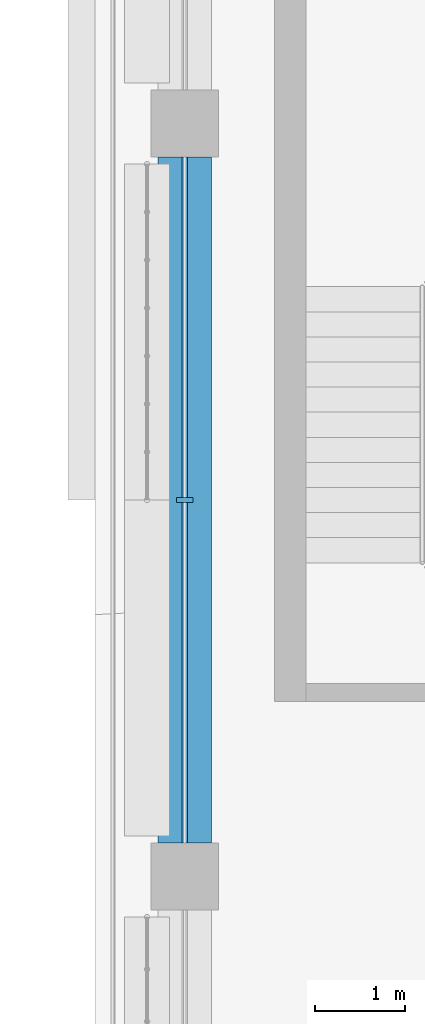
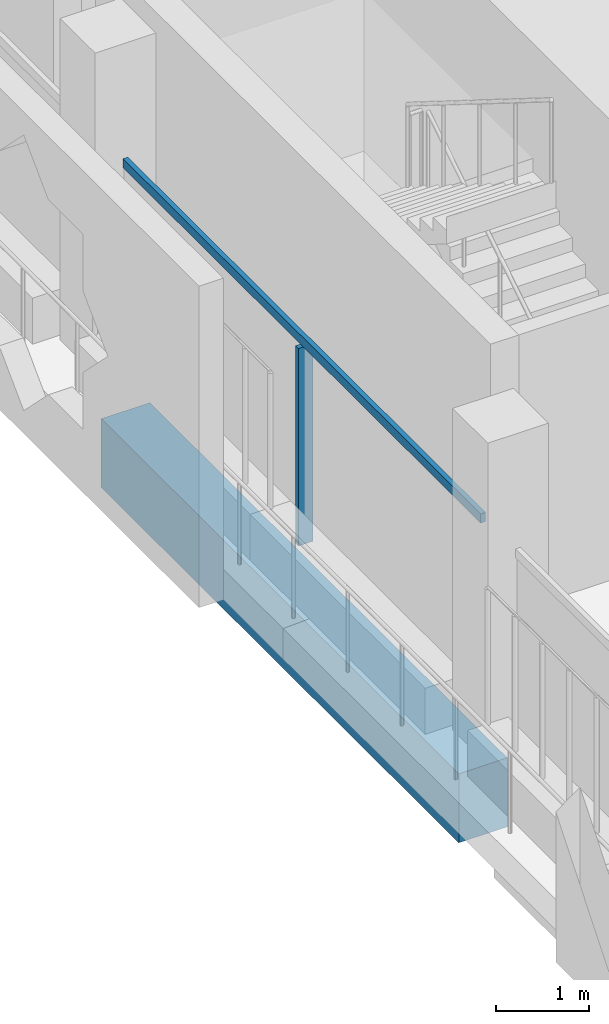
# One storey, part 4 of 21: 2 members, 1 beam, 1 element without a shape of its own.
"""IFC4 building model written with IfcOpenShell, lengths in metres."""

from ifc_helpers import new_model, si_unit, direction, frame, origin, origin_2d, place, context, subcontext, project, spatial, rectangle, extrude, material, layer, layer_set, material_profile, profile_set, type_object, element, aggregate, save


model = new_model("IFC4")

# Units and contexts
model_context = context("Model", 3, precision=1e-05, world=origin(), true_north=direction((0.0, 1.0)))
body_context = subcontext(model_context, "Body", "Model", "MODEL_VIEW")
ifc_project = project(units=[si_unit("LENGTHUNIT", "METRE"), si_unit("AREAUNIT", "SQUARE_METRE"), si_unit("VOLUMEUNIT", "CUBIC_METRE"), si_unit("PLANEANGLEUNIT", "RADIAN"), si_unit("MASSUNIT", "GRAM", prefix="KILO")], contexts=[model_context])

# Site, building, storey
site_placement = place(None, origin())
site = spatial("IfcSite", under=ifc_project, at=site_placement, CompositionType="ELEMENT")
building_placement = place(site_placement, origin())
building = spatial("IfcBuilding", under=site, at=building_placement, Name="Kawkab Arch Medical Tower", CompositionType="ELEMENT")
storey_placement = place(building_placement, frame((0.0, 0.0, 323.800048828125)))
storey = spatial("IfcBuildingStorey", under=building, at=storey_placement, Name="L75", CompositionType="ELEMENT", Elevation=323.800048828125)

# Curtain wall, members
ifc_material_1 = material(Name="Bronze anodised aluminium curtain wall frame", Category="aluminium")
ifc_layer = layer(ifc_material_1, 0.159912109375)
ifc_layer_set = layer_set([ifc_layer], Name="Bronze anodised aluminium curtain wall frame")
curtain_wall_type = type_object("IfcCurtainWallType", Name="CW1 ward curtain wall", PredefinedType="NOTDEFINED", material=ifc_layer_set)
curtain_wall_placement = place(storey_placement, origin())
curtain_wall = element("IfcCurtainWall", 1, at=curtain_wall_placement, inside=storey, type_object=curtain_wall_type, Name="CW1 Ward curtain wall R02", PredefinedType="NOTDEFINED")
ifc_material_2 = material(Name="Bronze anodised aluminium curtain wall frame", Category="aluminium")
ifc_material_profile_1 = material_profile(ifc_material_2, rectangle(XDim=0.179931640625, YDim=0.06005859375, at=origin_2d()), Name="AL 60x180")
ifc_profile_set_1 = profile_set([ifc_material_profile_1], Name="Bronze anodised aluminium curtain wall frame")
member_type_1 = type_object("IfcMemberType", Name="CW1 mullion 60 x 180", PredefinedType="MULLION", material=ifc_profile_set_1)
member_1_placement = place(storey_placement, frame((0.0, -21.0, 0.0), z_axis=(0.0, 0.0, 1.0), x_axis=(1.0, 0.0, 0.0)))
member_1 = element("IfcMember", 2, at=member_1_placement, type_object=member_type_1, Name="CW1 mullion 2.1", PredefinedType="MULLION", context=body_context, shape_type="SweptSolid", body=[
    extrude(rectangle(XDim=0.179931640625, YDim=0.06005859375, at=origin_2d()), origin(), (0.0, 0.0, 1.0), 2.579833984375),
])
ifc_material_3 = material(Name="Bronze anodised aluminium curtain wall frame", Category="aluminium")
ifc_material_profile_2 = material_profile(ifc_material_3, rectangle(XDim=0.06005859375, YDim=0.1201171875, at=origin_2d()), Name="AL 60x120")
ifc_profile_set_2 = profile_set([ifc_material_profile_2], Name="Bronze anodised aluminium curtain wall frame")
member_type_2 = type_object("IfcMemberType", Name="CW1 transom 120 x 60", PredefinedType="USERDEFINED", material=ifc_profile_set_2)
member_2_placement = place(storey_placement, frame((0.0, -17.175048828125, 2.639892578125), z_axis=(0.0, -1.0, 0.0), x_axis=(1.0, 0.0, 0.0)))
member_2 = element("IfcMember", 3, at=member_2_placement, type_object=member_type_2, Name="CW1 transom 2", ObjectType="TRANSOM", PredefinedType="USERDEFINED", context=body_context, shape_type="SweptSolid", body=[
    extrude(rectangle(XDim=0.06005859375, YDim=0.1201171875, at=origin_2d()), origin(), (0.0, 0.0, 1.0), 7.64990234375),
])
aggregate(curtain_wall, [member_2, member_1])

# Beam
ifc_material_4 = material(Name="Concrete C40/50", Category="concrete")
ifc_material_profile_3 = material_profile(ifc_material_4, rectangle(XDim=0.60009765625, YDim=0.89990234375, at=origin_2d()), Name="RC 600x900")
ifc_profile_set_3 = profile_set([ifc_material_profile_3], Name="Concrete C40/50")
beam_type = type_object("IfcBeamType", Name="RC 600x900 beam C40/50", PredefinedType="BEAM", material=ifc_profile_set_3)
beam_placement = place(storey_placement, frame((0.0, -24.824951171875, -1.050048828125), z_axis=(0.0, 1.0, 0.0), x_axis=(-1.0, 0.0, 0.0)))
element("IfcBeam", 4, at=beam_placement, inside=storey, type_object=beam_type, Name="Overhang edge beam L75-04", PredefinedType="BEAM", context=body_context, shape_type="SweptSolid", body=[
    extrude(rectangle(XDim=0.60009765625, YDim=0.89990234375, at=origin_2d()), origin(), (0.0, 0.0, 1.0), 7.64990234375),
])

save(model, "model.ifc")
